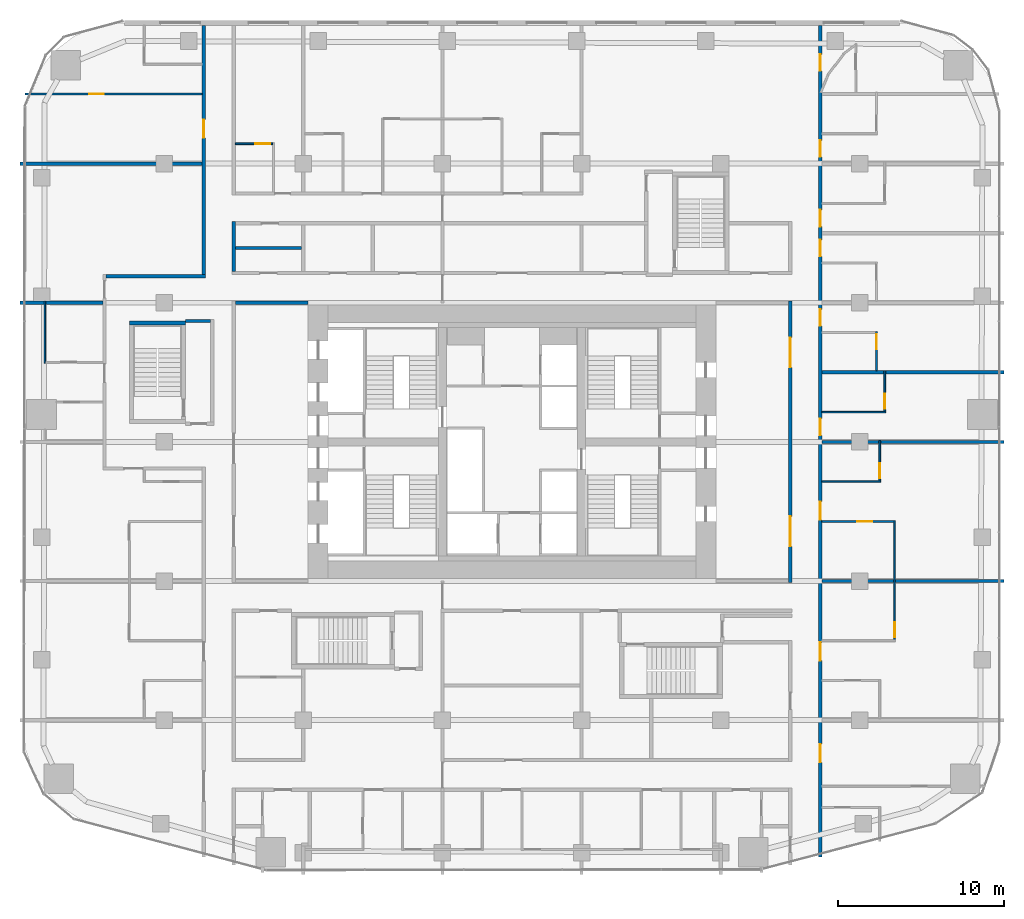
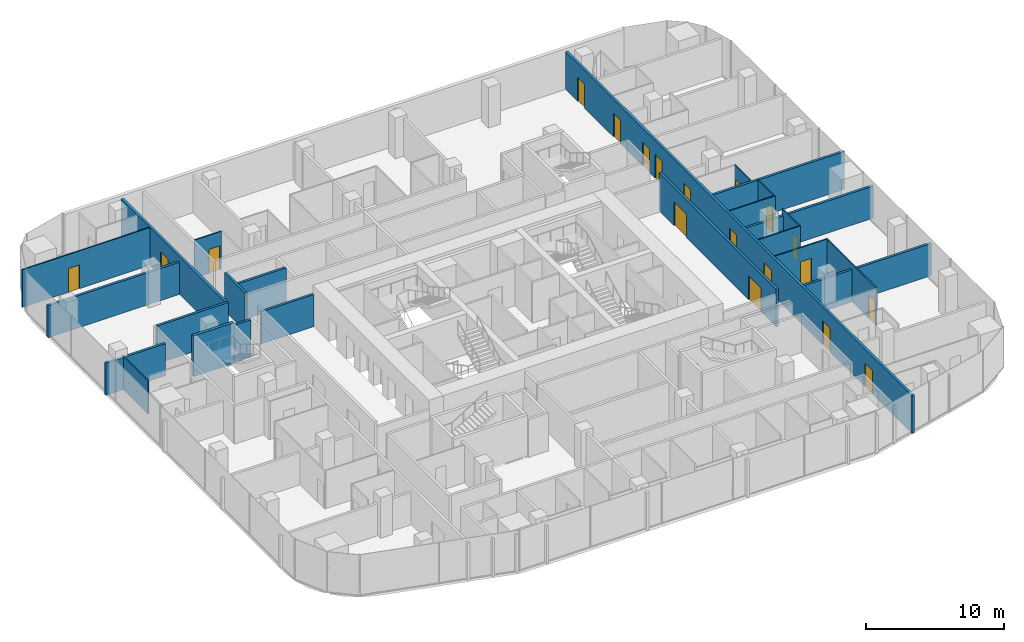
# One storey, part 20 of 25: 24 walls, 19 doors, 19 openings.
"""IFC4 building model written with IfcOpenShell, lengths in metres."""

from ifc_helpers import new_model, si_unit, direction, frame, frame_2d, origin, place, context, subcontext, project, spatial, rectangle, extrude, material, layer, layer_set, type_object, element, fill, save


model = new_model("IFC4")

# Units and contexts
model_context = context("Model", 3, precision=1e-05, world=origin(), true_north=direction((0.0, 1.0)))
body_context = subcontext(model_context, "Body", "Model", "MODEL_VIEW")
ifc_project = project(units=[si_unit("LENGTHUNIT", "METRE"), si_unit("AREAUNIT", "SQUARE_METRE"), si_unit("VOLUMEUNIT", "CUBIC_METRE"), si_unit("PLANEANGLEUNIT", "RADIAN"), si_unit("MASSUNIT", "GRAM", prefix="KILO")], contexts=[model_context])

# Site, building, storey
site_placement = place(None, origin())
site = spatial("IfcSite", under=ifc_project, at=site_placement, CompositionType="ELEMENT")
building_placement = place(site_placement, origin())
building = spatial("IfcBuilding", under=site, at=building_placement, Name="Marenta Gate Hotel Tower", CompositionType="ELEMENT")
storey_placement = place(building_placement, frame((0.0, 0.0, 50.89990234375)))
storey = spatial("IfcBuildingStorey", under=building, at=storey_placement, Name="L10", CompositionType="ELEMENT", Elevation=50.89990234375)

# Wall
ifc_material_1 = material(Name="Concrete blockwork", Category="masonry")
ifc_layer_1 = layer(ifc_material_1, 0.199951171875)
ifc_layer_set_1 = layer_set([ifc_layer_1], Name="Concrete blockwork")
wall_type_1 = type_object("IfcWallType", Name="Core boundary wall 200 REI 180", PredefinedType="PARTITIONING", material=ifc_layer_set_1)
wall_1_placement = place(storey_placement, frame((-16.699951171875, 16.800048828125, 0.0), z_axis=(0.0, 0.0, 1.0), x_axis=(1.0, 0.0, 0.0)))
element("IfcWall", 1, at=wall_1_placement, inside=storey, type_object=wall_type_1, Name="L10-CP-EW-WN", PredefinedType="PARTITIONING", context=body_context, shape_type="SweptSolid", body=[
    extrude(rectangle(XDim=4.39990234375, YDim=0.199951171875, at=frame_2d((2.199951171875, 0.0))), origin(), (0.0, 0.0, 1.0), 2.840087890625),
])

# Wall, openings, doors
wall_2_placement = place(storey_placement, frame((16.800048828125, -0.10009765625, 0.0), z_axis=(0.0, 0.0, 1.0), x_axis=(0.0, 1.0, 0.0)))
wall_2 = element("IfcWall", 2, at=wall_2_placement, inside=storey, type_object=wall_type_1, Name="L10-CP-BW-E", PredefinedType="PARTITIONING", context=body_context, shape_type="SweptSolid", body=[
    extrude(rectangle(XDim=17.0, YDim=0.199951171875, at=frame_2d((8.5, 0.0))), origin(), (0.0, 0.0, 1.0), 3.340087890625),
])
opening_1_placement = place(wall_2_placement, frame((2.199951171875, 0.0, 0.0)))
opening_1 = element("IfcOpeningElement", 3, at=opening_1_placement, cuts=wall_2, Name="Opening ED-Ea-B", PredefinedType="OPENING", context=body_context, shape_type="SweptSolid", body=[
    extrude(rectangle(XDim=1.800048828125, YDim=2.10009765625, at=frame_2d((0.89990234375, 1.050048828125))), frame((0.0, 0.10009765625, 0.0), z_axis=(0.0, -1.0, 0.0), x_axis=(1.0, 0.0, 0.0)), (0.0, 0.0, 1.0), 0.199951171875),
])
opening_2_placement = place(wall_2_placement, frame((13.0, 0.0, 0.0)))
opening_2 = element("IfcOpeningElement", 4, at=opening_2_placement, cuts=wall_2, Name="Opening ED-Eb-B", PredefinedType="OPENING", context=body_context, shape_type="SweptSolid", body=[
    extrude(rectangle(XDim=1.800048828125, YDim=2.10009765625, at=frame_2d((0.89990234375, 1.050048828125))), frame((0.0, 0.10009765625, 0.0), z_axis=(0.0, -1.0, 0.0), x_axis=(1.0, 0.0, 0.0)), (0.0, 0.0, 1.0), 0.199951171875),
])
ifc_material_2 = material(Name="Steel", Category="steel")
door_type_1 = type_object("IfcDoorType", Name="Core lobby entrance door 1800x2100 EI 60", OperationType="DOUBLE_DOOR_SINGLE_SWING", PredefinedType="DOOR", material=ifc_material_2)
door_1_placement = place(opening_1_placement, origin())
door_1 = element("IfcDoor", 5, at=door_1_placement, inside=storey, type_object=door_type_1, Name="ED-Ea-B", OperationType="DOUBLE_DOOR_SINGLE_SWING", OverallHeight=2.10009765625, OverallWidth=1.800048828125, PredefinedType="DOOR", context=body_context, shape_type="SweptSolid", body=[
    extrude(rectangle(XDim=1.800048828125, YDim=2.10009765625, at=frame_2d((0.89990234375, 1.050048828125))), frame((0.0, 0.02490234375, 0.0), z_axis=(0.0, -1.0, 0.0), x_axis=(1.0, 0.0, 0.0)), (0.0, 0.0, 1.0), 0.050048828125),
])
fill(opening_1, door_1)
door_2_placement = place(opening_2_placement, origin())
door_2 = element("IfcDoor", 6, at=door_2_placement, inside=storey, type_object=door_type_1, Name="ED-Eb-B", OperationType="DOUBLE_DOOR_SINGLE_SWING", OverallHeight=2.10009765625, OverallWidth=1.800048828125, PredefinedType="DOOR", context=body_context, shape_type="SweptSolid", body=[
    extrude(rectangle(XDim=1.800048828125, YDim=2.10009765625, at=frame_2d((0.89990234375, 1.050048828125))), frame((0.0, 0.02490234375, 0.0), z_axis=(0.0, -1.0, 0.0), x_axis=(1.0, 0.0, 0.0)), (0.0, 0.0, 1.0), 0.050048828125),
])
fill(opening_2, door_2)

# Walls
ifc_material_3 = material(Name="Concrete C40", Category="concrete")
ifc_layer_2 = layer(ifc_material_3, 0.25)
ifc_layer_set_2 = layer_set([ifc_layer_2], Name="Concrete C40")
wall_type_2 = type_object("IfcWallType", Name="Remote stair enclosure wall 250 REI 180", PredefinedType="SHEAR", material=ifc_layer_set_2)
wall_3_placement = place(storey_placement, frame((-23.10009765625, 15.574951171875, 0.10009765625), z_axis=(0.0, 0.0, 1.0), x_axis=(1.0, 0.0, 0.0)))
element("IfcWall", 7, at=wall_3_placement, inside=storey, type_object=wall_type_2, Name="L10-RS-Z1-3-W2", PredefinedType="SHEAR", context=body_context, shape_type="SweptSolid", body=[
    extrude(rectangle(XDim=3.400146484375, YDim=0.25, at=frame_2d((1.7001953125, 0.0))), origin(), (0.0, 0.0, 1.0), 3.60009765625),
])
ifc_material_4 = material(Name="Concrete blockwork", Category="masonry")
ifc_layer_3 = layer(ifc_material_4, 0.199951171875)
ifc_layer_set_3 = layer_set([ifc_layer_3], Name="Concrete blockwork")
wall_type_3 = type_object("IfcWallType", Name="Room corridor wall 200 EI 120", PredefinedType="PARTITIONING", material=ifc_layer_set_3)
wall_4_placement = place(storey_placement, frame((-24.5, 18.39990234375, 0.0), z_axis=(0.0, 0.0, 1.0), x_axis=(1.0, 0.0, 0.0)))
element("IfcWall", 8, at=wall_4_placement, inside=storey, type_object=wall_type_3, Name="L10-PTN-W106", PredefinedType="PARTITIONING", context=body_context, shape_type="SweptSolid", body=[
    extrude(rectangle(XDim=6.0, YDim=0.199951171875, at=frame_2d((3.0, 0.0))), origin(), (0.0, 0.0, 1.0), 3.340087890625),
])

# Wall, opening, door
wall_5_placement = place(storey_placement, frame((-18.60009765625, 18.5, 0.0), z_axis=(0.0, 0.0, 1.0), x_axis=(0.0, 1.0, 0.0)))
wall_5 = element("IfcWall", 9, at=wall_5_placement, inside=storey, type_object=wall_type_3, Name="L10-PTN-W109", PredefinedType="PARTITIONING", context=body_context, shape_type="SweptSolid", body=[
    extrude(rectangle(XDim=15.0400390625, YDim=0.199951171875, at=frame_2d((7.52001953125, 0.0))), origin(), (0.0, 0.0, 1.0), 3.340087890625),
])
opening_3_placement = place(wall_5_placement, frame((8.25, 0.0, 0.0)))
opening_3 = element("IfcOpeningElement", 10, at=opening_3_placement, cuts=wall_5, Name="Opening G03-55", PredefinedType="OPENING", context=body_context, shape_type="SweptSolid", body=[
    extrude(rectangle(XDim=1.10009765625, YDim=2.10009765625, at=frame_2d((0.550048828125, 1.050048828125))), frame((0.0, 0.10009765625, 0.0), z_axis=(0.0, -1.0, 0.0), x_axis=(1.0, 0.0, 0.0)), (0.0, 0.0, 1.0), 0.199951171875),
])
ifc_material_5 = material(Name="Timber door leaf", Category="wood")
door_type_2 = type_object("IfcDoorType", Name="Guest room door 1100x2100 EI 60", OperationType="NOTDEFINED", PredefinedType="DOOR", material=ifc_material_5)
door_3_placement = place(opening_3_placement, origin())
door_3 = element("IfcDoor", 11, at=door_3_placement, inside=storey, type_object=door_type_2, Name="L10-PD-D055", OperationType="SINGLE_SWING_RIGHT", OverallHeight=2.10009765625, OverallWidth=1.10009765625, PredefinedType="DOOR", context=body_context, shape_type="SweptSolid", body=[
    extrude(rectangle(XDim=1.10009765625, YDim=2.10009765625, at=frame_2d((0.550048828125, 1.050048828125))), frame((0.0, 0.02490234375, 0.0), z_axis=(0.0, -1.0, 0.0), x_axis=(1.0, 0.0, 0.0)), (0.0, 0.0, 1.0), 0.050048828125),
])
fill(opening_3, door_3)

# Wall, openings, doors
ifc_material_6 = material(Name="Gypsum board on steel stud", Category="steel")
ifc_layer_4 = layer(ifc_material_6, 0.199951171875)
ifc_layer_set_4 = layer_set([ifc_layer_4], Name="Gypsum board on steel stud")
wall_type_4 = type_object("IfcWallType", Name="Room corridor wall 200 EI 60", PredefinedType="PARTITIONING", material=ifc_layer_set_4)
wall_6_placement = place(storey_placement, frame((18.60009765625, -16.6650390625, 0.0), z_axis=(0.0, 0.0, 1.0), x_axis=(0.0, 1.0, 0.0)))
wall_6 = element("IfcWall", 12, at=wall_6_placement, inside=storey, type_object=wall_type_4, Name="L10-PTN-W011", PredefinedType="PARTITIONING", context=body_context, shape_type="SweptSolid", body=[
    extrude(rectangle(XDim=50.205078125, YDim=0.199951171875, at=frame_2d((25.1025390625, 0.0))), origin(), (0.0, 0.0, 1.0), 3.340087890625),
])
opening_4_placement = place(wall_6_placement, frame((5.72412109375, 0.0, 0.0)))
opening_4 = element("IfcOpeningElement", 13, at=opening_4_placement, cuts=wall_6, Name="Opening G03-07", PredefinedType="OPENING", context=body_context, shape_type="SweptSolid", body=[
    extrude(rectangle(XDim=1.10009765625, YDim=2.10009765625, at=frame_2d((0.550048828125, 1.050048828125))), frame((0.0, 0.10009765625, 0.0), z_axis=(0.0, -1.0, 0.0), x_axis=(1.0, 0.0, 0.0)), (0.0, 0.0, 1.0), 0.199951171875),
])
opening_5_placement = place(wall_6_placement, frame((11.864990234375, 0.0, 0.0)))
opening_5 = element("IfcOpeningElement", 14, at=opening_5_placement, cuts=wall_6, Name="Opening G03-10", PredefinedType="OPENING", context=body_context, shape_type="SweptSolid", body=[
    extrude(rectangle(XDim=1.10009765625, YDim=2.10009765625, at=frame_2d((0.550048828125, 1.050048828125))), frame((0.0, 0.10009765625, 0.0), z_axis=(0.0, -1.0, 0.0), x_axis=(1.0, 0.0, 0.0)), (0.0, 0.0, 1.0), 0.199951171875),
])
opening_6_placement = place(wall_6_placement, frame((20.364990234375, 0.0, 0.0)))
opening_6 = element("IfcOpeningElement", 15, at=opening_6_placement, cuts=wall_6, Name="Opening G03-13", PredefinedType="OPENING", context=body_context, shape_type="SweptSolid", body=[
    extrude(rectangle(XDim=1.10009765625, YDim=2.10009765625, at=frame_2d((0.550048828125, 1.050048828125))), frame((0.0, 0.10009765625, 0.0), z_axis=(0.0, -1.0, 0.0), x_axis=(1.0, 0.0, 0.0)), (0.0, 0.0, 1.0), 0.199951171875),
])
opening_7_placement = place(wall_6_placement, frame((25.465087890625, 0.0, 0.0)))
opening_7 = element("IfcOpeningElement", 16, at=opening_7_placement, cuts=wall_6, Name="Opening G03-16", PredefinedType="OPENING", context=body_context, shape_type="SweptSolid", body=[
    extrude(rectangle(XDim=1.0, YDim=2.10009765625, at=frame_2d((0.5, 1.050048828125))), frame((0.0, 0.10009765625, 0.0), z_axis=(0.0, -1.0, 0.0), x_axis=(1.0, 0.0, 0.0)), (0.0, 0.0, 1.0), 0.199951171875),
])
opening_8_placement = place(wall_6_placement, frame((32.06494140625, 0.0, 0.0)))
opening_8 = element("IfcOpeningElement", 17, at=opening_8_placement, cuts=wall_6, Name="Opening G03-18", PredefinedType="OPENING", context=body_context, shape_type="SweptSolid", body=[
    extrude(rectangle(XDim=1.0, YDim=2.10009765625, at=frame_2d((0.5, 1.050048828125))), frame((0.0, 0.10009765625, 0.0), z_axis=(0.0, -1.0, 0.0), x_axis=(1.0, 0.0, 0.0)), (0.0, 0.0, 1.0), 0.199951171875),
])
opening_9_placement = place(wall_6_placement, frame((36.264892578125, 0.0, 0.0)))
opening_9 = element("IfcOpeningElement", 18, at=opening_9_placement, cuts=wall_6, Name="Opening G03-20", PredefinedType="OPENING", context=body_context, shape_type="SweptSolid", body=[
    extrude(rectangle(XDim=1.0, YDim=2.10009765625, at=frame_2d((0.5, 1.050048828125))), frame((0.0, 0.10009765625, 0.0), z_axis=(0.0, -1.0, 0.0), x_axis=(1.0, 0.0, 0.0)), (0.0, 0.0, 1.0), 0.199951171875),
])
opening_10_placement = place(wall_6_placement, frame((38.06494140625, 0.0, 0.0)))
opening_10 = element("IfcOpeningElement", 19, at=opening_10_placement, cuts=wall_6, Name="Opening G03-22", PredefinedType="OPENING", context=body_context, shape_type="SweptSolid", body=[
    extrude(rectangle(XDim=1.0, YDim=2.10009765625, at=frame_2d((0.5, 1.050048828125))), frame((0.0, 0.10009765625, 0.0), z_axis=(0.0, -1.0, 0.0), x_axis=(1.0, 0.0, 0.0)), (0.0, 0.0, 1.0), 0.199951171875),
])
opening_11_placement = place(wall_6_placement, frame((42.264892578125, 0.0, 0.0)))
opening_11 = element("IfcOpeningElement", 20, at=opening_11_placement, cuts=wall_6, Name="Opening G03-24", PredefinedType="OPENING", context=body_context, shape_type="SweptSolid", body=[
    extrude(rectangle(XDim=1.0, YDim=2.10009765625, at=frame_2d((0.5, 1.050048828125))), frame((0.0, 0.10009765625, 0.0), z_axis=(0.0, -1.0, 0.0), x_axis=(1.0, 0.0, 0.0)), (0.0, 0.0, 1.0), 0.199951171875),
])
opening_12_placement = place(wall_6_placement, frame((47.465087890625, 0.0, 0.0)))
opening_12 = element("IfcOpeningElement", 21, at=opening_12_placement, cuts=wall_6, Name="Opening G03-26", PredefinedType="OPENING", context=body_context, shape_type="SweptSolid", body=[
    extrude(rectangle(XDim=1.0, YDim=2.10009765625, at=frame_2d((0.5, 1.050048828125))), frame((0.0, 0.10009765625, 0.0), z_axis=(0.0, -1.0, 0.0), x_axis=(1.0, 0.0, 0.0)), (0.0, 0.0, 1.0), 0.199951171875),
])
ifc_material_7 = material(Name="Timber door leaf", Category="wood")
door_type_3 = type_object("IfcDoorType", Name="Guest room door 1000x2100 EI 30", OperationType="NOTDEFINED", PredefinedType="DOOR", material=ifc_material_7)
door_4_placement = place(opening_7_placement, origin())
door_4 = element("IfcDoor", 22, at=door_4_placement, inside=storey, type_object=door_type_3, Name="L10-PD-D016", OperationType="SINGLE_SWING_RIGHT", OverallHeight=2.10009765625, OverallWidth=1.0, PredefinedType="DOOR", context=body_context, shape_type="SweptSolid", body=[
    extrude(rectangle(XDim=1.0, YDim=2.10009765625, at=frame_2d((0.5, 1.050048828125))), frame((0.0, 0.02490234375, 0.0), z_axis=(0.0, -1.0, 0.0), x_axis=(1.0, 0.0, 0.0)), (0.0, 0.0, 1.0), 0.050048828125),
])
fill(opening_7, door_4)
door_5_placement = place(opening_8_placement, origin())
door_5 = element("IfcDoor", 23, at=door_5_placement, inside=storey, type_object=door_type_3, Name="L10-PD-D018", OperationType="SINGLE_SWING_RIGHT", OverallHeight=2.10009765625, OverallWidth=1.0, PredefinedType="DOOR", context=body_context, shape_type="SweptSolid", body=[
    extrude(rectangle(XDim=1.0, YDim=2.10009765625, at=frame_2d((0.5, 1.050048828125))), frame((0.0, 0.02490234375, 0.0), z_axis=(0.0, -1.0, 0.0), x_axis=(1.0, 0.0, 0.0)), (0.0, 0.0, 1.0), 0.050048828125),
])
fill(opening_8, door_5)
door_6_placement = place(opening_9_placement, origin())
door_6 = element("IfcDoor", 24, at=door_6_placement, inside=storey, type_object=door_type_3, Name="L10-PD-D020", OperationType="SINGLE_SWING_RIGHT", OverallHeight=2.10009765625, OverallWidth=1.0, PredefinedType="DOOR", context=body_context, shape_type="SweptSolid", body=[
    extrude(rectangle(XDim=1.0, YDim=2.10009765625, at=frame_2d((0.5, 1.050048828125))), frame((0.0, 0.02490234375, 0.0), z_axis=(0.0, -1.0, 0.0), x_axis=(1.0, 0.0, 0.0)), (0.0, 0.0, 1.0), 0.050048828125),
])
fill(opening_9, door_6)
door_7_placement = place(opening_10_placement, origin())
door_7 = element("IfcDoor", 25, at=door_7_placement, inside=storey, type_object=door_type_3, Name="L10-PD-D022", OperationType="SINGLE_SWING_RIGHT", OverallHeight=2.10009765625, OverallWidth=1.0, PredefinedType="DOOR", context=body_context, shape_type="SweptSolid", body=[
    extrude(rectangle(XDim=1.0, YDim=2.10009765625, at=frame_2d((0.5, 1.050048828125))), frame((0.0, 0.02490234375, 0.0), z_axis=(0.0, -1.0, 0.0), x_axis=(1.0, 0.0, 0.0)), (0.0, 0.0, 1.0), 0.050048828125),
])
fill(opening_10, door_7)
door_8_placement = place(opening_11_placement, origin())
door_8 = element("IfcDoor", 26, at=door_8_placement, inside=storey, type_object=door_type_3, Name="L10-PD-D024", OperationType="SINGLE_SWING_RIGHT", OverallHeight=2.10009765625, OverallWidth=1.0, PredefinedType="DOOR", context=body_context, shape_type="SweptSolid", body=[
    extrude(rectangle(XDim=1.0, YDim=2.10009765625, at=frame_2d((0.5, 1.050048828125))), frame((0.0, 0.02490234375, 0.0), z_axis=(0.0, -1.0, 0.0), x_axis=(1.0, 0.0, 0.0)), (0.0, 0.0, 1.0), 0.050048828125),
])
fill(opening_11, door_8)
door_9_placement = place(opening_12_placement, origin())
door_9 = element("IfcDoor", 27, at=door_9_placement, inside=storey, type_object=door_type_3, Name="L10-PD-D026", OperationType="SINGLE_SWING_RIGHT", OverallHeight=2.10009765625, OverallWidth=1.0, PredefinedType="DOOR", context=body_context, shape_type="SweptSolid", body=[
    extrude(rectangle(XDim=1.0, YDim=2.10009765625, at=frame_2d((0.5, 1.050048828125))), frame((0.0, 0.02490234375, 0.0), z_axis=(0.0, -1.0, 0.0), x_axis=(1.0, 0.0, 0.0)), (0.0, 0.0, 1.0), 0.050048828125),
])
fill(opening_12, door_9)
ifc_material_8 = material(Name="Timber door leaf", Category="wood")
door_type_4 = type_object("IfcDoorType", Name="Guest room door 1100x2100 EI 30", OperationType="NOTDEFINED", PredefinedType="DOOR", material=ifc_material_8)
door_10_placement = place(opening_4_placement, origin())
door_10 = element("IfcDoor", 28, at=door_10_placement, inside=storey, type_object=door_type_4, Name="L10-PD-D007", OperationType="SINGLE_SWING_LEFT", OverallHeight=2.10009765625, OverallWidth=1.10009765625, PredefinedType="DOOR", context=body_context, shape_type="SweptSolid", body=[
    extrude(rectangle(XDim=1.10009765625, YDim=2.10009765625, at=frame_2d((0.550048828125, 1.050048828125))), frame((0.0, 0.02490234375, 0.0), z_axis=(0.0, -1.0, 0.0), x_axis=(1.0, 0.0, 0.0)), (0.0, 0.0, 1.0), 0.050048828125),
])
fill(opening_4, door_10)
door_11_placement = place(opening_5_placement, origin())
door_11 = element("IfcDoor", 29, at=door_11_placement, inside=storey, type_object=door_type_4, Name="L10-PD-D010", OperationType="SINGLE_SWING_LEFT", OverallHeight=2.10009765625, OverallWidth=1.10009765625, PredefinedType="DOOR", context=body_context, shape_type="SweptSolid", body=[
    extrude(rectangle(XDim=1.10009765625, YDim=2.10009765625, at=frame_2d((0.550048828125, 1.050048828125))), frame((0.0, 0.02490234375, 0.0), z_axis=(0.0, -1.0, 0.0), x_axis=(1.0, 0.0, 0.0)), (0.0, 0.0, 1.0), 0.050048828125),
])
fill(opening_5, door_11)
door_12_placement = place(opening_6_placement, origin())
door_12 = element("IfcDoor", 30, at=door_12_placement, inside=storey, type_object=door_type_4, Name="L10-PD-D013", OperationType="SINGLE_SWING_RIGHT", OverallHeight=2.10009765625, OverallWidth=1.10009765625, PredefinedType="DOOR", context=body_context, shape_type="SweptSolid", body=[
    extrude(rectangle(XDim=1.10009765625, YDim=2.10009765625, at=frame_2d((0.550048828125, 1.050048828125))), frame((0.0, 0.02490234375, 0.0), z_axis=(0.0, -1.0, 0.0), x_axis=(1.0, 0.0, 0.0)), (0.0, 0.0, 1.0), 0.050048828125),
])
fill(opening_6, door_12)

# Walls
wall_7_placement = place(storey_placement, frame((-16.800048828125, 18.699951171875, 0.0), z_axis=(0.0, 0.0, 1.0), x_axis=(0.0, 1.0, 0.0)))
element("IfcWall", 31, at=wall_7_placement, inside=storey, type_object=wall_type_4, Name="L10-PTN-W101", PredefinedType="PARTITIONING", context=body_context, shape_type="SweptSolid", body=[
    extrude(rectangle(XDim=3.0, YDim=0.199951171875, at=frame_2d((1.5, 0.0))), origin(), (0.0, 0.0, 1.0), 3.340087890625),
])
ifc_material_9 = material(Name="Concrete blockwork", Category="masonry")
ifc_layer_5 = layer(ifc_material_9, 0.199951171875)
ifc_layer_set_5 = layer_set([ifc_layer_5], Name="Concrete blockwork")
wall_type_5 = type_object("IfcWallType", Name="Room corridor wall 200 REI 180", PredefinedType="PARTITIONING", material=ifc_layer_set_5)
wall_8_placement = place(storey_placement, frame((-19.699951171875, 15.699951171875, 0.0), z_axis=(0.0, 0.0, 1.0), x_axis=(1.0, 0.0, 0.0)))
element("IfcWall", 32, at=wall_8_placement, inside=storey, type_object=wall_type_5, Name="L10-PTN-W098", PredefinedType="PARTITIONING", context=body_context, shape_type="SweptSolid", body=[
    extrude(rectangle(XDim=1.5, YDim=0.199951171875, at=frame_2d((0.75, 0.0))), origin(), (0.0, 0.0, 1.0), 3.340087890625),
])

# Wall, opening, door
ifc_material_10 = material(Name="Gypsum board on steel stud", Category="steel")
ifc_layer_6 = layer(ifc_material_10, 0.10009765625)
ifc_layer_set_6 = layer_set([ifc_layer_6], Name="Gypsum board on steel stud")
wall_type_6 = type_object("IfcWallType", Name="Room partition 100", PredefinedType="PARTITIONING", material=ifc_layer_set_6)
wall_9_placement = place(storey_placement, frame((23.10009765625, -3.550048828125, 0.0), z_axis=(0.0, 0.0, 1.0), x_axis=(0.0, 1.0, 0.0)))
wall_9 = element("IfcWall", 33, at=wall_9_placement, inside=storey, type_object=wall_type_6, Name="L10-PTN-W001", PredefinedType="PARTITIONING", context=body_context, shape_type="SweptSolid", body=[
    extrude(rectangle(XDim=7.199951171875, YDim=0.10009765625, at=frame_2d((3.60009765625, 0.0))), origin(), (0.0, 0.0, 1.0), 3.340087890625),
])
opening_13_placement = place(wall_9_placement, frame((0.14990234375, 0.0, 0.0)))
opening_13 = element("IfcOpeningElement", 34, at=opening_13_placement, cuts=wall_9, Name="Opening G03-11", PredefinedType="OPENING", context=body_context, shape_type="SweptSolid", body=[
    extrude(rectangle(XDim=0.89990234375, YDim=2.10009765625, at=frame_2d((0.449951171875, 1.050048828125))), frame((0.0, 0.050048828125, 0.0), z_axis=(0.0, -1.0, 0.0), x_axis=(1.0, 0.0, 0.0)), (0.0, 0.0, 1.0), 0.10009765625),
])
ifc_material_11 = material(Name="Timber door leaf", Category="wood")
door_type_5 = type_object("IfcDoorType", Name="Guest bathroom door 900x2100", OperationType="NOTDEFINED", PredefinedType="DOOR", material=ifc_material_11)
door_13_placement = place(opening_13_placement, origin())
door_13 = element("IfcDoor", 35, at=door_13_placement, inside=storey, type_object=door_type_5, Name="L10-PD-D011", OperationType="SINGLE_SWING_LEFT", OverallHeight=2.10009765625, OverallWidth=0.89990234375, PredefinedType="DOOR", context=body_context, shape_type="SweptSolid", body=[
    extrude(rectangle(XDim=0.89990234375, YDim=2.10009765625, at=frame_2d((0.449951171875, 1.050048828125))), frame((0.0, 0.02490234375, 0.0), z_axis=(0.0, -1.0, 0.0), x_axis=(1.0, 0.0, 0.0)), (0.0, 0.0, 1.0), 0.050048828125),
])
fill(opening_13, door_13)

wall_10_placement = place(storey_placement, frame((22.5, 10.25, 0.0), z_axis=(0.0, 0.0, 1.0), x_axis=(0.0, 1.0, 0.0)))
wall_10 = element("IfcWall", 36, at=wall_10_placement, inside=storey, type_object=wall_type_6, Name="L10-PTN-W002", PredefinedType="PARTITIONING", context=body_context, shape_type="SweptSolid", body=[
    extrude(rectangle(XDim=2.449951171875, YDim=0.10009765625, at=frame_2d((1.22509765625, 0.0))), origin(), (0.0, 0.0, 1.0), 3.340087890625),
])
opening_14_placement = place(wall_10_placement, frame((0.14990234375, 0.0, 0.0)))
opening_14 = element("IfcOpeningElement", 37, at=opening_14_placement, cuts=wall_10, Name="Opening G03-17", PredefinedType="OPENING", context=body_context, shape_type="SweptSolid", body=[
    extrude(rectangle(XDim=0.89990234375, YDim=2.10009765625, at=frame_2d((0.449951171875, 1.050048828125))), frame((0.0, 0.050048828125, 0.0), z_axis=(0.0, -1.0, 0.0), x_axis=(1.0, 0.0, 0.0)), (0.0, 0.0, 1.0), 0.10009765625),
])
door_14_placement = place(opening_14_placement, origin())
door_14 = element("IfcDoor", 38, at=door_14_placement, inside=storey, type_object=door_type_5, Name="L10-PD-D017", OperationType="SINGLE_SWING_LEFT", OverallHeight=2.10009765625, OverallWidth=0.89990234375, PredefinedType="DOOR", context=body_context, shape_type="SweptSolid", body=[
    extrude(rectangle(XDim=0.89990234375, YDim=2.10009765625, at=frame_2d((0.449951171875, 1.050048828125))), frame((0.0, 0.02490234375, 0.0), z_axis=(0.0, -1.0, 0.0), x_axis=(1.0, 0.0, 0.0)), (0.0, 0.0, 1.0), 0.050048828125),
])
fill(opening_14, door_14)

wall_11_placement = place(storey_placement, frame((22.199951171875, 6.050048828125, 0.0), z_axis=(0.0, 0.0, 1.0), x_axis=(0.0, 1.0, 0.0)))
wall_11 = element("IfcWall", 39, at=wall_11_placement, inside=storey, type_object=wall_type_6, Name="L10-PTN-W006", PredefinedType="PARTITIONING", context=body_context, shape_type="SweptSolid", body=[
    extrude(rectangle(XDim=2.449951171875, YDim=0.10009765625, at=frame_2d((1.22509765625, 0.0))), origin(), (0.0, 0.0, 1.0), 3.340087890625),
])
opening_15_placement = place(wall_11_placement, frame((0.14990234375, 0.0, 0.0)))
opening_15 = element("IfcOpeningElement", 40, at=opening_15_placement, cuts=wall_11, Name="Opening G03-15", PredefinedType="OPENING", context=body_context, shape_type="SweptSolid", body=[
    extrude(rectangle(XDim=0.89990234375, YDim=2.10009765625, at=frame_2d((0.449951171875, 1.050048828125))), frame((0.0, 0.050048828125, 0.0), z_axis=(0.0, -1.0, 0.0), x_axis=(1.0, 0.0, 0.0)), (0.0, 0.0, 1.0), 0.10009765625),
])
ifc_material_12 = material(Name="Timber door leaf", Category="wood")
door_type_6 = type_object("IfcDoorType", Name="Room inner door 900x2100", OperationType="NOTDEFINED", PredefinedType="DOOR", material=ifc_material_12)
door_15_placement = place(opening_15_placement, origin())
door_15 = element("IfcDoor", 41, at=door_15_placement, inside=storey, type_object=door_type_6, Name="L10-PD-D015", OperationType="SINGLE_SWING_LEFT", OverallHeight=2.10009765625, OverallWidth=0.89990234375, PredefinedType="DOOR", context=body_context, shape_type="SweptSolid", body=[
    extrude(rectangle(XDim=0.89990234375, YDim=2.10009765625, at=frame_2d((0.449951171875, 1.050048828125))), frame((0.0, 0.02490234375, 0.0), z_axis=(0.0, -1.0, 0.0), x_axis=(1.0, 0.0, 0.0)), (0.0, 0.0, 1.0), 0.050048828125),
])
fill(opening_15, door_15)

wall_12_placement = place(storey_placement, frame((22.0, 12.699951171875, 0.0), z_axis=(0.0, 0.0, 1.0), x_axis=(0.0, 1.0, 0.0)))
wall_12 = element("IfcWall", 42, at=wall_12_placement, inside=storey, type_object=wall_type_6, Name="L10-PTN-W007", PredefinedType="PARTITIONING", context=body_context, shape_type="SweptSolid", body=[
    extrude(rectangle(XDim=2.35009765625, YDim=0.10009765625, at=frame_2d((1.175048828125, 0.0))), origin(), (0.0, 0.0, 1.0), 3.340087890625),
])
opening_16_placement = place(wall_12_placement, frame((1.300048828125, 0.0, 0.0)))
opening_16 = element("IfcOpeningElement", 43, at=opening_16_placement, cuts=wall_12, Name="Opening G03-19", PredefinedType="OPENING", context=body_context, shape_type="SweptSolid", body=[
    extrude(rectangle(XDim=0.89990234375, YDim=2.10009765625, at=frame_2d((0.449951171875, 1.050048828125))), frame((0.0, 0.050048828125, 0.0), z_axis=(0.0, -1.0, 0.0), x_axis=(1.0, 0.0, 0.0)), (0.0, 0.0, 1.0), 0.10009765625),
])
door_16_placement = place(opening_16_placement, origin())
door_16 = element("IfcDoor", 44, at=door_16_placement, inside=storey, type_object=door_type_5, Name="L10-PD-D019", OperationType="SINGLE_SWING_RIGHT", OverallHeight=2.10009765625, OverallWidth=0.89990234375, PredefinedType="DOOR", context=body_context, shape_type="SweptSolid", body=[
    extrude(rectangle(XDim=0.89990234375, YDim=2.10009765625, at=frame_2d((0.449951171875, 1.050048828125))), frame((0.0, 0.02490234375, 0.0), z_axis=(0.0, -1.0, 0.0), x_axis=(1.0, 0.0, 0.0)), (0.0, 0.0, 1.0), 0.050048828125),
])
fill(opening_16, door_16)

wall_13_placement = place(storey_placement, frame((18.699951171875, 3.60009765625, 0.0), z_axis=(0.0, 0.0, 1.0), x_axis=(1.0, 0.0, 0.0)))
wall_13 = element("IfcWall", 45, at=wall_13_placement, inside=storey, type_object=wall_type_6, Name="L10-PTN-W067", PredefinedType="PARTITIONING", context=body_context, shape_type="SweptSolid", body=[
    extrude(rectangle(XDim=4.35009765625, YDim=0.10009765625, at=frame_2d((2.175048828125, 0.0))), origin(), (0.0, 0.0, 1.0), 3.340087890625),
])
opening_17_placement = place(wall_13_placement, frame((2.14990234375, 0.0, 0.0)))
opening_17 = element("IfcOpeningElement", 46, at=opening_17_placement, cuts=wall_13, Name="Opening G03-14", PredefinedType="OPENING", context=body_context, shape_type="SweptSolid", body=[
    extrude(rectangle(XDim=0.89990234375, YDim=2.10009765625, at=frame_2d((0.449951171875, 1.050048828125))), frame((0.0, 0.050048828125, 0.0), z_axis=(0.0, -1.0, 0.0), x_axis=(1.0, 0.0, 0.0)), (0.0, 0.0, 1.0), 0.10009765625),
])
door_17_placement = place(opening_17_placement, origin())
door_17 = element("IfcDoor", 47, at=door_17_placement, inside=storey, type_object=door_type_5, Name="L10-PD-D014", OperationType="SINGLE_SWING_LEFT", OverallHeight=2.10009765625, OverallWidth=0.89990234375, PredefinedType="DOOR", context=body_context, shape_type="SweptSolid", body=[
    extrude(rectangle(XDim=0.89990234375, YDim=2.10009765625, at=frame_2d((0.449951171875, 1.050048828125))), frame((0.0, 0.02490234375, 0.0), z_axis=(0.0, -1.0, 0.0), x_axis=(1.0, 0.0, 0.0)), (0.0, 0.0, 1.0), 0.050048828125),
])
fill(opening_17, door_17)

# Walls
wall_14_placement = place(storey_placement, frame((18.699951171875, 6.0, 0.0), z_axis=(0.0, 0.0, 1.0), x_axis=(1.0, 0.0, 0.0)))
element("IfcWall", 48, at=wall_14_placement, inside=storey, type_object=wall_type_6, Name="L10-PTN-W074", PredefinedType="PARTITIONING", context=body_context, shape_type="SweptSolid", body=[
    extrude(rectangle(XDim=3.550048828125, YDim=0.10009765625, at=frame_2d((1.77490234375, 0.0))), origin(), (0.0, 0.0, 1.0), 3.340087890625),
])
wall_15_placement = place(storey_placement, frame((18.699951171875, 10.199951171875, 0.0), z_axis=(0.0, 0.0, 1.0), x_axis=(1.0, 0.0, 0.0)))
element("IfcWall", 49, at=wall_15_placement, inside=storey, type_object=wall_type_6, Name="L10-PTN-W084", PredefinedType="PARTITIONING", context=body_context, shape_type="SweptSolid", body=[
    extrude(rectangle(XDim=3.85009765625, YDim=0.10009765625, at=frame_2d((1.925048828125, 0.0))), origin(), (0.0, 0.0, 1.0), 3.340087890625),
])

# Wall, opening, door
wall_16_placement = place(storey_placement, frame((-16.699951171875, 26.39990234375, 0.0), z_axis=(0.0, 0.0, 1.0), x_axis=(1.0, 0.0, 0.0)))
wall_16 = element("IfcWall", 50, at=wall_16_placement, inside=storey, type_object=wall_type_6, Name="L10-PTN-W127", PredefinedType="PARTITIONING", context=body_context, shape_type="SweptSolid", body=[
    extrude(rectangle(XDim=2.25, YDim=0.10009765625, at=frame_2d((1.125, 0.0))), origin(), (0.0, 0.0, 1.0), 3.340087890625),
])
opening_18_placement = place(wall_16_placement, frame((1.199951171875, 0.0, 0.0)))
opening_18 = element("IfcOpeningElement", 51, at=opening_18_placement, cuts=wall_16, Name="Opening G03-29", PredefinedType="OPENING", context=body_context, shape_type="SweptSolid", body=[
    extrude(rectangle(XDim=0.89990234375, YDim=2.10009765625, at=frame_2d((0.449951171875, 1.050048828125))), frame((0.0, 0.050048828125, 0.0), z_axis=(0.0, -1.0, 0.0), x_axis=(1.0, 0.0, 0.0)), (0.0, 0.0, 1.0), 0.10009765625),
])
door_18_placement = place(opening_18_placement, origin())
door_18 = element("IfcDoor", 52, at=door_18_placement, inside=storey, type_object=door_type_5, Name="L10-PD-D029", OperationType="SINGLE_SWING_LEFT", OverallHeight=2.10009765625, OverallWidth=0.89990234375, PredefinedType="DOOR", context=body_context, shape_type="SweptSolid", body=[
    extrude(rectangle(XDim=0.89990234375, YDim=2.10009765625, at=frame_2d((0.449951171875, 1.050048828125))), frame((0.0, 0.02490234375, 0.0), z_axis=(0.0, -1.0, 0.0), x_axis=(1.0, 0.0, 0.0)), (0.0, 0.0, 1.0), 0.050048828125),
])
fill(opening_18, door_18)

# Wall
wall_17_placement = place(storey_placement, frame((-28.199951171875, 13.14990234375, 0.0), z_axis=(0.0, 0.0, 1.0), x_axis=(0.0, 1.0, 0.0)))
element("IfcWall", 53, at=wall_17_placement, inside=storey, type_object=wall_type_6, Name="L10-PTN-W133", PredefinedType="PARTITIONING", context=body_context, shape_type="SweptSolid", body=[
    extrude(rectangle(XDim=3.75, YDim=0.10009765625, at=frame_2d((1.875, 0.0))), origin(), (0.0, 0.0, 1.0), 2.940185546875),
])

# Wall, opening, door
wall_18_placement = place(storey_placement, frame((-29.39306640625, 29.39990234375, 0.0), z_axis=(0.0, 0.0, 1.0), x_axis=(1.0, 0.0, 0.0)))
wall_18 = element("IfcWall", 54, at=wall_18_placement, inside=storey, type_object=wall_type_6, Name="L10-PTN-W134", PredefinedType="PARTITIONING", context=body_context, shape_type="SweptSolid", body=[
    extrude(rectangle(XDim=10.693115234375, YDim=0.10009765625, at=frame_2d((5.3466796875, 0.0))), origin(), (0.0, 0.0, 1.0), 3.340087890625),
])
opening_19_placement = place(wall_18_placement, frame((3.863037109375, 0.0, 0.0)))
opening_19 = element("IfcOpeningElement", 55, at=opening_19_placement, cuts=wall_18, Name="Opening G03-56", PredefinedType="OPENING", context=body_context, shape_type="SweptSolid", body=[
    extrude(rectangle(XDim=0.89990234375, YDim=2.10009765625, at=frame_2d((0.449951171875, 1.050048828125))), frame((0.0, 0.050048828125, 0.0), z_axis=(0.0, -1.0, 0.0), x_axis=(1.0, 0.0, 0.0)), (0.0, 0.0, 1.0), 0.10009765625),
])
door_19_placement = place(opening_19_placement, origin())
door_19 = element("IfcDoor", 56, at=door_19_placement, inside=storey, type_object=door_type_6, Name="L10-PD-D056", OperationType="SINGLE_SWING_LEFT", OverallHeight=2.10009765625, OverallWidth=0.89990234375, PredefinedType="DOOR", context=body_context, shape_type="SweptSolid", body=[
    extrude(rectangle(XDim=0.89990234375, YDim=2.10009765625, at=frame_2d((0.449951171875, 1.050048828125))), frame((0.0, 0.02490234375, 0.0), z_axis=(0.0, -1.0, 0.0), x_axis=(1.0, 0.0, 0.0)), (0.0, 0.0, 1.0), 0.050048828125),
])
fill(opening_19, door_19)

# Walls
ifc_material_13 = material(Name="Concrete blockwork", Category="masonry")
ifc_layer_7 = layer(ifc_material_13, 0.199951171875)
ifc_layer_set_7 = layer_set([ifc_layer_7], Name="Concrete blockwork")
wall_type_7 = type_object("IfcWallType", Name="Room party wall 200 EI 120", PredefinedType="PARTITIONING", material=ifc_layer_set_7)
wall_19_placement = place(storey_placement, frame((-29.699951171875, 16.800048828125, 0.0), z_axis=(0.0, 0.0, 1.0), x_axis=(1.0, 0.0, 0.0)))
element("IfcWall", 57, at=wall_19_placement, inside=storey, type_object=wall_type_7, Name="L10-PTN-W103", PredefinedType="PARTITIONING", context=body_context, shape_type="SweptSolid", body=[
    extrude(rectangle(XDim=5.0, YDim=0.199951171875, at=frame_2d((2.5, 0.0))), origin(), (0.0, 0.0, 1.0), 2.840087890625),
])
wall_20_placement = place(storey_placement, frame((-29.699951171875, 25.199951171875, 0.0), z_axis=(0.0, 0.0, 1.0), x_axis=(1.0, 0.0, 0.0)))
element("IfcWall", 58, at=wall_20_placement, inside=storey, type_object=wall_type_7, Name="L10-PTN-W125", PredefinedType="PARTITIONING", context=body_context, shape_type="SweptSolid", body=[
    extrude(rectangle(XDim=11.0, YDim=0.199951171875, at=frame_2d((5.5, 0.0))), origin(), (0.0, 0.0, 1.0), 2.840087890625),
])
ifc_material_14 = material(Name="Gypsum board on steel stud", Category="steel")
ifc_layer_8 = layer(ifc_material_14, 0.199951171875)
ifc_layer_set_8 = layer_set([ifc_layer_8], Name="Gypsum board on steel stud")
wall_type_8 = type_object("IfcWallType", Name="Room party wall 200 EI 60", PredefinedType="PARTITIONING", material=ifc_layer_set_8)
for number, where, z_axis, x_axis, name in (
    (59, (18.699951171875, 0.0, 0.0), (0.0, 0.0, 1.0), (1.0, 0.0, 0.0), "L10-PTN-W062"),
    (60, (18.699951171875, 8.39990234375, 0.0), (0.0, 0.0, 1.0), (1.0, 0.0, 0.0), "L10-PTN-W080"),
):
    element("IfcWall", number, at=place(storey_placement, frame(where, z_axis=z_axis, x_axis=x_axis)), inside=storey, type_object=wall_type_8, Name=name, PredefinedType="PARTITIONING", context=body_context, shape_type="SweptSolid", body=[
        extrude(rectangle(XDim=11.0, YDim=0.199951171875, at=frame_2d((5.5, 0.0))), origin(), (0.0, 0.0, 1.0), 2.840087890625),
    ])
wall_21_placement = place(storey_placement, frame((18.699951171875, 12.60009765625, 0.0), z_axis=(0.0, 0.0, 1.0), x_axis=(1.0, 0.0, 0.0)))
element("IfcWall", 61, at=wall_21_placement, inside=storey, type_object=wall_type_8, Name="L10-PTN-W091", PredefinedType="PARTITIONING", context=body_context, shape_type="SweptSolid", body=[
    extrude(rectangle(XDim=11.0, YDim=0.199951171875, at=frame_2d((5.5, 0.0))), origin(), (0.0, 0.0, 1.0), 3.340087890625),
])
wall_22_placement = place(storey_placement, frame((-16.699951171875, 20.10009765625, 0.0), z_axis=(0.0, 0.0, 1.0), x_axis=(1.0, 0.0, 0.0)))
element("IfcWall", 62, at=wall_22_placement, inside=storey, type_object=wall_type_8, Name="L10-PTN-W113", PredefinedType="PARTITIONING", context=body_context, shape_type="SweptSolid", body=[
    extrude(rectangle(XDim=4.0, YDim=0.199951171875, at=frame_2d((2.0, 0.0))), origin(), (0.0, 0.0, 1.0), 3.340087890625),
])

save(model, "model.ifc")
